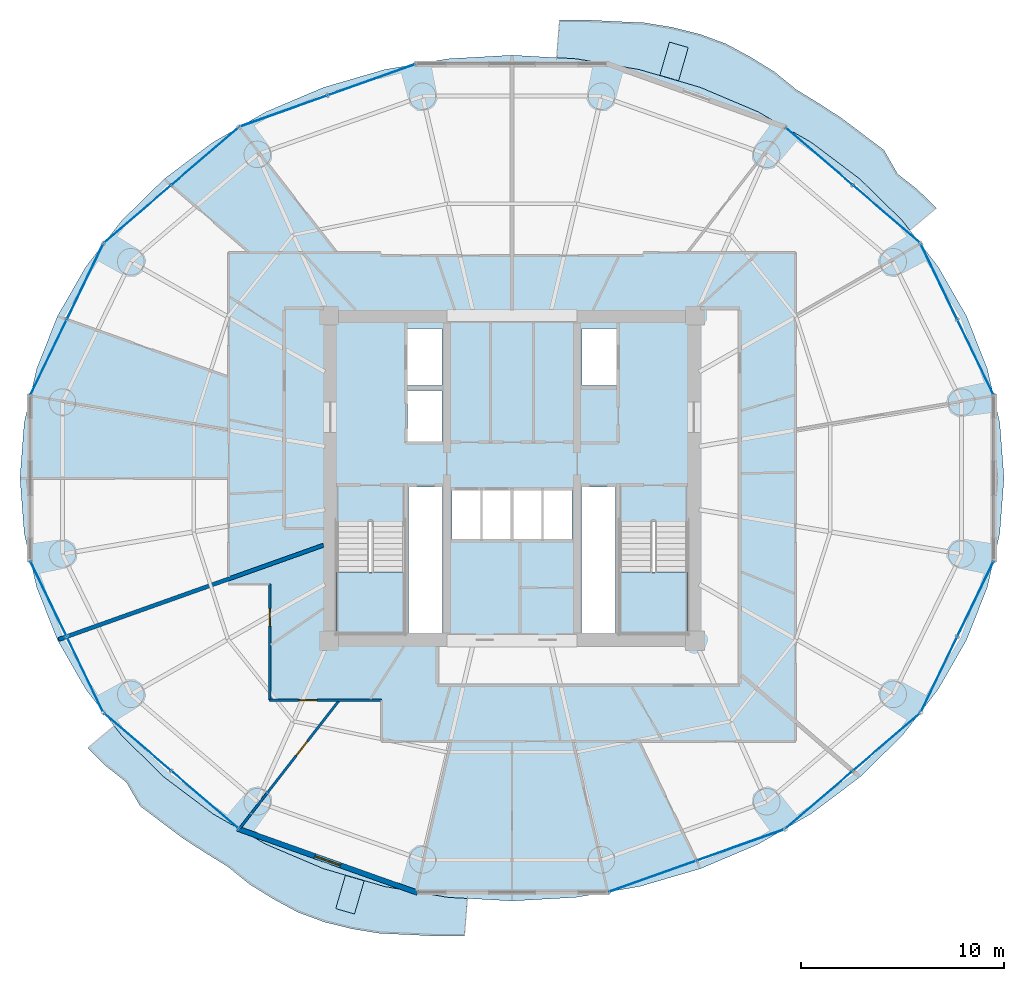
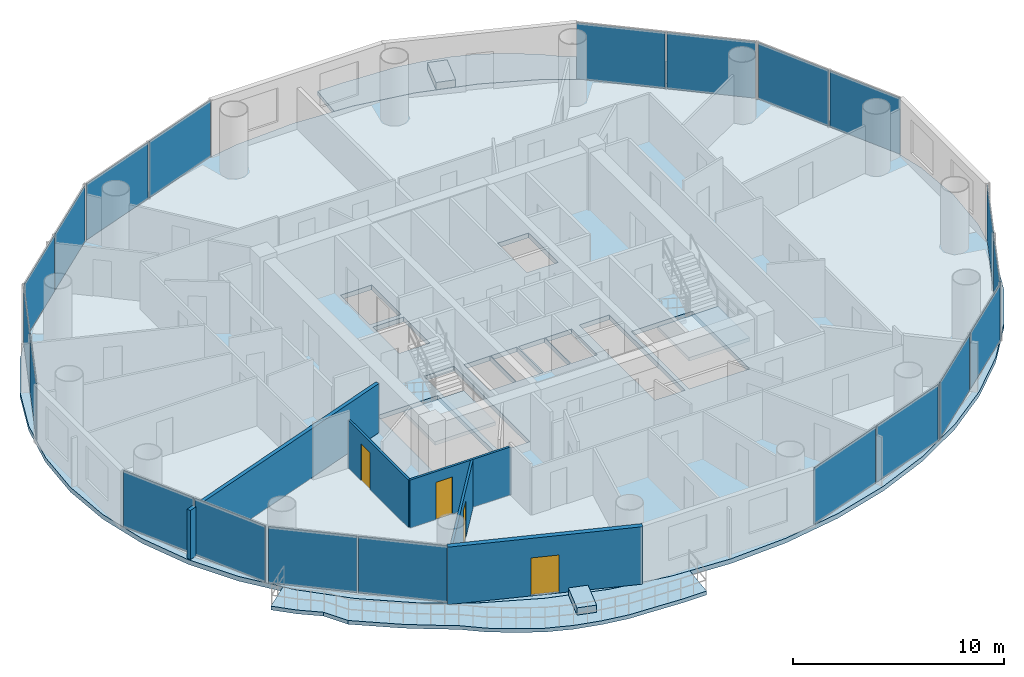
# One storey, part 20 of 27: 20 plates, 7 slabs, 5 walls, 4 doors, 4 openings, 12 elements without a shape of their own.
"""IFC4 building model written with IfcOpenShell, lengths in metres."""

from ifc_helpers import new_model, si_unit, direction, frame, frame_2d, origin, origin_2d, place, context, subcontext, project, spatial, polyline, rectangle, outline, extrude, source, transform, mapped, material, layer, layer_set, type_object, element, fill, aggregate, save


model = new_model("IFC4")

# Units and contexts
model_context = context("Model", 3, precision=1e-05, world=origin(), true_north=direction((-0.2419218956, 0.970295726276)))
body_context = subcontext(model_context, "Body", "Model", "MODEL_VIEW")
ifc_project = project(units=[si_unit("LENGTHUNIT", "METRE"), si_unit("AREAUNIT", "SQUARE_METRE"), si_unit("VOLUMEUNIT", "CUBIC_METRE"), si_unit("PLANEANGLEUNIT", "RADIAN"), si_unit("MASSUNIT", "GRAM", prefix="KILO")], contexts=[model_context])

# Site, building, storey
site_placement = place(None, origin())
site = spatial("IfcSite", under=ifc_project, at=site_placement, CompositionType="ELEMENT")
building_placement = place(site_placement, origin())
building = spatial("IfcBuilding", under=site, at=building_placement, Name="Cobrevalo Terracotta Tower", CompositionType="ELEMENT")
storey_placement = place(building_placement, frame((0.0, 0.0, 146.199951171875)))
storey = spatial("IfcBuildingStorey", under=building, at=storey_placement, Name="L38", CompositionType="ELEMENT", Elevation=146.199951171875)

# Stair, slab
ifc_material_1 = material(Name="Concrete C50", Category="concrete")
stair_type = type_object("IfcStairType", Name="Core protected escape dogleg stair 1600", PredefinedType="HALF_TURN_STAIR", material=ifc_material_1)
stair_1_placement = place(storey_placement, origin())
stair_1 = element("IfcStair", 1, at=stair_1_placement, inside=storey, type_object=stair_type, Name="L38 Protected exit stair ST-1", PredefinedType="HALF_TURN_STAIR")
ifc_layer_1 = layer(ifc_material_1, 0.199951171875)
ifc_layer_set_1 = layer_set([ifc_layer_1], Name="Concrete C50")
slab_type_1 = type_object("IfcSlabType", Name="Reinforced Concrete Stair Landing 200", PredefinedType="LANDING", material=ifc_layer_set_1)
slab_1_placement = place(storey_placement, frame((0.0, 0.0, 1.60009765625)))
slab_1 = element("IfcSlab", 2, at=slab_1_placement, type_object=slab_type_1, Name="ST-1 landing 1", PredefinedType="LANDING", context=body_context, shape_type="SweptSolid", body=[
    extrude(outline(polyline([(29.375, 22.179931640625), (29.375, 19.175048828125), (32.695068359375, 19.175048828125), (32.695068359375, 22.179931640625), (29.375, 22.179931640625)])), origin(), (0.0, 0.0, 1.0), 0.199951171875),
])
aggregate(stair_1, [slab_1])

stair_2_placement = place(storey_placement, origin())
stair_2 = element("IfcStair", 3, at=stair_2_placement, inside=storey, type_object=stair_type, Name="L38 Protected exit stair ST-2", PredefinedType="HALF_TURN_STAIR")
slab_2_placement = place(storey_placement, frame((0.0, 0.0, 1.60009765625)))
slab_2 = element("IfcSlab", 4, at=slab_2_placement, type_object=slab_type_1, Name="ST-2 landing 1", PredefinedType="LANDING", context=body_context, shape_type="SweptSolid", body=[
    extrude(outline(polyline([(43.304931640625, 22.179931640625), (43.304931640625, 19.175048828125), (46.625, 19.175048828125), (46.625, 22.179931640625), (43.304931640625, 22.179931640625)])), origin(), (0.0, 0.0, 1.0), 0.199951171875),
])
aggregate(stair_2, [slab_2])

# Slabs
ifc_material_2 = material(Name="Concrete C45", Category="concrete")
ifc_layer_2 = layer(ifc_material_2, 0.219970703125)
ifc_layer_set_2 = layer_set([ifc_layer_2], Name="Concrete C45")
slab_type_2 = type_object("IfcSlabType", Name="Spiralling cantilevered balcony lobe slab 220 mm", PredefinedType="FLOOR", material=ifc_layer_set_2)
slab_3_placement = place(storey_placement, frame((0.0, 0.0, -0.219970703125)))
element("IfcSlab", 5, at=slab_3_placement, inside=storey, type_object=slab_type_2, Name="L38 spiralling arc balcony slab lobe 1", PredefinedType="FLOOR", context=body_context, shape_type="SweptSolid", body=[
    extrude(outline(polyline([(58.8740234375, 40.07080078125), (57.972900390625, 40.964599609375), (56.96533203125, 41.759765625), (56.296875, 42.9267578125), (55.252197265625, 43.71875), (54.20556640625, 44.505615234375), (53.099365234375, 45.222900390625), (51.966552734375, 45.920654296875), (50.907958984375, 46.78125), (49.738037109375, 47.50341796875), (48.52392578125, 48.16064453125), (47.225830078125, 48.638671875), (45.876220703125, 48.97314453125), (44.505615234375, 49.1962890625), (43.10498046875, 49.259033203125), (41.722412109375, 49.32958984375), (40.34130859375, 49.3310546875), (40.196044921875, 47.478271484375), (41.158935546875, 47.424072265625), (44.263916015625, 46.893310546875), (47.26171875, 46.0185546875), (50.10107421875, 44.81494140625), (52.733154296875, 43.30322265625), (55.11328125, 41.50927734375), (57.20068359375, 39.46337890625), (57.577392578125, 38.97900390625), (58.8740234375, 40.07080078125)])), origin(), (0.0, 0.0, 1.0), 0.219970703125),
])
slab_4_placement = place(storey_placement, frame((0.0, 0.0, -0.219970703125)))
element("IfcSlab", 6, at=slab_4_placement, inside=storey, type_object=slab_type_2, Name="L38 spiralling arc balcony slab lobe 2", PredefinedType="FLOOR", context=body_context, shape_type="SweptSolid", body=[
    extrude(outline(polyline([(17.1259765625, 13.529296875), (18.027099609375, 12.63525390625), (19.03466796875, 11.840087890625), (19.703125, 10.67333984375), (20.747802734375, 9.88134765625), (21.79443359375, 9.09423828125), (22.900634765625, 8.376953125), (24.033447265625, 7.679443359375), (25.092041015625, 6.818603515625), (26.261962890625, 6.096435546875), (27.47607421875, 5.439453125), (28.774169921875, 4.96142578125), (30.123779296875, 4.626953125), (31.494384765625, 4.40380859375), (32.89501953125, 4.341064453125), (34.277587890625, 4.270263671875), (35.65869140625, 4.268798828125), (35.803955078125, 6.121826171875), (34.841064453125, 6.176025390625), (31.736083984375, 6.706787109375), (28.73828125, 7.58154296875), (25.89892578125, 8.784912109375), (23.266845703125, 10.296630859375), (20.88671875, 12.0908203125), (18.79931640625, 14.136474609375), (18.422607421875, 14.620849609375), (17.1259765625, 13.529296875)])), origin(), (0.0, 0.0, 1.0), 0.219970703125),
])
ifc_material_3 = material(Name="Precast concrete C45", Category="concrete")
ifc_layer_3 = layer(ifc_material_3, 0.419921875)
ifc_layer_set_3 = layer_set([ifc_layer_3], Name="Precast concrete C45")
slab_type_3 = type_object("IfcSlabType", Name="Structural tree planter trough base 420 mm", PredefinedType="USERDEFINED", material=ifc_layer_set_3)
slab_5_placement = place(storey_placement, origin())
element("IfcSlab", 7, at=slab_5_placement, inside=storey, type_object=slab_type_3, Name="L38 structural tree planter trough 1", ObjectType="PLANTER", PredefinedType="USERDEFINED", context=body_context, shape_type="SweptSolid", body=[
    extrude(outline(polyline([(46.195068359375, 46.343994140625), (46.6689453125, 47.976806640625), (45.7470703125, 48.244384765625), (45.273193359375, 46.61181640625), (46.195068359375, 46.343994140625)])), origin(), (0.0, 0.0, 1.0), 0.420166015625),
])
slab_6_placement = place(storey_placement, origin())
element("IfcSlab", 8, at=slab_6_placement, inside=storey, type_object=slab_type_3, Name="L38 structural tree planter trough 2", ObjectType="PLANTER", PredefinedType="USERDEFINED", context=body_context, shape_type="SweptSolid", body=[
    extrude(outline(polyline([(29.804931640625, 7.255859375), (29.3310546875, 5.623291015625), (30.2529296875, 5.355712890625), (30.726806640625, 6.98828125), (29.804931640625, 7.255859375)])), origin(), (0.0, 0.0, 1.0), 0.420166015625),
])
ifc_layer_4 = layer(ifc_material_1, 0.27001953125)
ifc_layer_set_4 = layer_set([ifc_layer_4], Name="Concrete C50")
slab_type_4 = type_object("IfcSlabType", Name="Zone Z3 elliptical floor plate 270 mm", PredefinedType="FLOOR", material=ifc_layer_set_4)
slab_7_placement = place(storey_placement, frame((0.0, 0.0, -0.27001953125)))
element("IfcSlab", 9, at=slab_7_placement, inside=storey, type_object=slab_type_4, Name="L38 indoor elliptical floor slab", PredefinedType="FLOOR", context=body_context, shape_type="SweptSolid", body=[
    extrude(outline(polyline([(61.992919921875, 24.0849609375), (61.37548828125, 21.41650390625), (60.35791015625, 18.840087890625), (58.957763671875, 16.39990234375), (57.19921875, 14.1376953125), (55.112060546875, 12.09228515625), (52.73193359375, 10.29833984375), (50.10009765625, 8.78662109375), (47.260986328125, 7.583251953125), (44.263427734375, 6.708740234375), (41.15869140625, 6.177978515625), (38.0, 6.0), (34.84130859375, 6.177978515625), (31.736572265625, 6.708740234375), (28.739013671875, 7.583251953125), (25.89990234375, 8.78662109375), (23.26806640625, 10.29833984375), (20.887939453125, 12.09228515625), (18.80078125, 14.1376953125), (17.042236328125, 16.39990234375), (15.64208984375, 18.840087890625), (14.62451171875, 21.41650390625), (14.007080078125, 24.0849609375), (13.800048828125, 26.800048828125), (14.007080078125, 29.514892578125), (14.62451171875, 32.183349609375), (15.64208984375, 34.759765625), (17.042236328125, 37.199951171875), (18.80078125, 39.462158203125), (20.887939453125, 41.5078125), (23.26806640625, 43.3017578125), (25.89990234375, 44.813232421875), (28.739013671875, 46.0166015625), (31.736572265625, 46.891357421875), (34.84130859375, 47.422119140625), (38.0, 47.60009765625), (41.15869140625, 47.422119140625), (44.263427734375, 46.891357421875), (47.260986328125, 46.0166015625), (50.10009765625, 44.813232421875), (52.73193359375, 43.3017578125), (55.112060546875, 41.5078125), (57.19921875, 39.462158203125), (58.957763671875, 37.199951171875), (60.35791015625, 34.759765625), (61.37548828125, 32.183349609375), (61.992919921875, 29.514892578125), (62.199951171875, 26.800048828125), (61.992919921875, 24.0849609375)]), holes=[polyline([(32.695068359375, 19.175048828125), (32.695068359375, 24.659912109375), (29.375, 24.659912109375), (29.375, 19.175048828125), (32.695068359375, 19.175048828125)]), polyline([(34.574951171875, 26.360107421875), (32.919921875, 26.360107421875), (32.919921875, 19.175048828125), (34.574951171875, 19.175048828125), (34.574951171875, 26.360107421875)]), polyline([(36.47998046875, 26.25), (35.050048828125, 26.25), (35.050048828125, 23.800048828125), (36.47998046875, 23.800048828125), (36.47998046875, 26.25)]), polyline([(37.9599609375, 23.800048828125), (37.9599609375, 26.25), (36.530029296875, 26.25), (36.530029296875, 23.800048828125), (37.9599609375, 23.800048828125)]), polyline([(34.550048828125, 28.60009765625), (34.550048828125, 31.10009765625), (32.85009765625, 31.10009765625), (32.85009765625, 28.60009765625), (34.550048828125, 28.60009765625)]), polyline([(34.550048828125, 34.14990234375), (32.85009765625, 34.14990234375), (32.85009765625, 31.35009765625), (34.550048828125, 31.35009765625), (34.550048828125, 34.14990234375)]), polyline([(43.304931640625, 19.175048828125), (46.625, 19.175048828125), (46.625, 24.659912109375), (43.304931640625, 24.659912109375), (43.304931640625, 19.175048828125)]), polyline([(43.080078125, 19.175048828125), (43.080078125, 26.360107421875), (41.425048828125, 26.360107421875), (41.425048828125, 19.175048828125), (43.080078125, 19.175048828125)]), polyline([(39.469970703125, 26.25), (38.0400390625, 26.25), (38.0400390625, 23.800048828125), (39.469970703125, 23.800048828125), (39.469970703125, 26.25)]), polyline([(40.949951171875, 23.800048828125), (40.949951171875, 26.25), (39.52001953125, 26.25), (39.52001953125, 23.800048828125), (40.949951171875, 23.800048828125)]), polyline([(43.14990234375, 31.35009765625), (43.14990234375, 34.14990234375), (41.449951171875, 34.14990234375), (41.449951171875, 31.35009765625), (43.14990234375, 31.35009765625)])]), origin(), (0.0, 0.0, 1.0), 0.27001953125),
])

# Curtain wall, plates
ifc_material_4 = material(Name="Anodized aluminium", Category="aluminium")
curtain_wall_type = type_object("IfcCurtainWallType", Name="Mid-tower high-wind unitised curtain wall CW-U2", PredefinedType="NOTDEFINED", material=ifc_material_4)
curtain_wall_1_placement = place(storey_placement, origin())
curtain_wall_1 = element("IfcCurtainWall", 10, at=curtain_wall_1_placement, inside=storey, type_object=curtain_wall_type, Name="L38 curtain wall CW-L38-S02", PredefinedType="NOTDEFINED")
ifc_material_5 = material(Name="Solar-control low-E double glazing", Category="glass")
ifc_layer_5 = layer(ifc_material_5, 0.028076171875)
ifc_layer_set_5 = layer_set([ifc_layer_5], Name="Solar-control low-E double glazing")
plate_type = type_object("IfcPlateType", Name="Tower solar-control low-E vision glass panel 28 mm", PredefinedType="CURTAIN_PANEL", material=ifc_layer_set_5)
shared_shape_1 = source(origin(), body_context, "Body", "SweptSolid", [
    extrude(rectangle(XDim=4.276123046875, YDim=0.035888671875, at=origin_2d()), origin(), (0.0, 0.0, 1.0), 3.25),
])
plate_1_placement = place(storey_placement, frame((56.414306640625, 39.784912109375, 0.0400390625), z_axis=(0.0, 0.0, 1.0), x_axis=(-0.758436996112, 0.651746363955, 0.0)))
plate_1 = element("IfcPlate", 11, at=plate_1_placement, type_object=plate_type, Name="CW-L38-S02 glazing panel B01", PredefinedType="CURTAIN_PANEL", context=body_context, shape_type="MappedRepresentation", body=[
    mapped(shared_shape_1, transform((0.0, 0.0, 0.0), scale=1.0)),
])
plate_2_placement = place(storey_placement, frame((53.1103515625, 42.6240234375, 0.0400390625), z_axis=(0.0, 0.0, 1.0), x_axis=(-0.758436996112, 0.651746363955, 0.0)))
plate_2 = element("IfcPlate", 12, at=plate_2_placement, type_object=plate_type, Name="CW-L38-S02 glazing panel B02", PredefinedType="CURTAIN_PANEL", context=body_context, shape_type="MappedRepresentation", body=[
    mapped(shared_shape_1, transform((0.0, 0.0, 0.0), scale=1.0)),
])
aggregate(curtain_wall_1, [plate_1, plate_2])

curtain_wall_2_placement = place(storey_placement, origin())
curtain_wall_2 = element("IfcCurtainWall", 13, at=curtain_wall_2_placement, inside=storey, type_object=curtain_wall_type, Name="L38 curtain wall CW-L38-S06", PredefinedType="NOTDEFINED")
plate_3_placement = place(storey_placement, frame((22.8896484375, 42.6240234375, 0.0400390625), z_axis=(0.0, 0.0, 1.0), x_axis=(-0.758436996112, -0.651746363955, 0.0)))
plate_3 = element("IfcPlate", 14, at=plate_3_placement, type_object=plate_type, Name="CW-L38-S06 glazing panel B01", PredefinedType="CURTAIN_PANEL", context=body_context, shape_type="MappedRepresentation", body=[
    mapped(shared_shape_1, transform((0.0, 0.0, 0.0), scale=1.0)),
])
plate_4_placement = place(storey_placement, frame((19.585693359375, 39.784912109375, 0.0400390625), z_axis=(0.0, 0.0, 1.0), x_axis=(-0.758436996112, -0.651746363955, 0.0)))
plate_4 = element("IfcPlate", 15, at=plate_4_placement, type_object=plate_type, Name="CW-L38-S06 glazing panel B02", PredefinedType="CURTAIN_PANEL", context=body_context, shape_type="MappedRepresentation", body=[
    mapped(shared_shape_1, transform((0.0, 0.0, 0.0), scale=1.0)),
])
aggregate(curtain_wall_2, [plate_3, plate_4])

curtain_wall_3_placement = place(storey_placement, origin())
curtain_wall_3 = element("IfcCurtainWall", 16, at=curtain_wall_3_placement, inside=storey, type_object=curtain_wall_type, Name="L38 curtain wall CW-L38-S10", PredefinedType="NOTDEFINED")
plate_5_placement = place(storey_placement, frame((19.585693359375, 13.815185546875, 0.0400390625), z_axis=(0.0, 0.0, 1.0), x_axis=(0.758436996112, -0.651746363955, 0.0)))
plate_5 = element("IfcPlate", 17, at=plate_5_placement, type_object=plate_type, Name="CW-L38-S10 glazing panel B01", PredefinedType="CURTAIN_PANEL", context=body_context, shape_type="MappedRepresentation", body=[
    mapped(shared_shape_1, transform((0.0, 0.0, 0.0), scale=1.0)),
])
plate_6_placement = place(storey_placement, frame((22.8896484375, 10.97607421875, 0.0400390625), z_axis=(0.0, 0.0, 1.0), x_axis=(0.758436996112, -0.651746363955, 0.0)))
plate_6 = element("IfcPlate", 18, at=plate_6_placement, type_object=plate_type, Name="CW-L38-S10 glazing panel B02", PredefinedType="CURTAIN_PANEL", context=body_context, shape_type="MappedRepresentation", body=[
    mapped(shared_shape_1, transform((0.0, 0.0, 0.0), scale=1.0)),
])
aggregate(curtain_wall_3, [plate_5, plate_6])

curtain_wall_4_placement = place(storey_placement, origin())
curtain_wall_4 = element("IfcCurtainWall", 19, at=curtain_wall_4_placement, inside=storey, type_object=curtain_wall_type, Name="L38 curtain wall CW-L38-S14", PredefinedType="NOTDEFINED")
plate_7_placement = place(storey_placement, frame((53.1103515625, 10.97607421875, 0.0400390625), z_axis=(0.0, 0.0, 1.0), x_axis=(0.758436996112, 0.651746363955, 0.0)))
plate_7 = element("IfcPlate", 20, at=plate_7_placement, type_object=plate_type, Name="CW-L38-S14 glazing panel B01", PredefinedType="CURTAIN_PANEL", context=body_context, shape_type="MappedRepresentation", body=[
    mapped(shared_shape_1, transform((0.0, 0.0, 0.0), scale=1.0)),
])
plate_8_placement = place(storey_placement, frame((56.414306640625, 13.815185546875, 0.0400390625), z_axis=(0.0, 0.0, 1.0), x_axis=(0.758436996112, 0.651746363955, 0.0)))
plate_8 = element("IfcPlate", 21, at=plate_8_placement, type_object=plate_type, Name="CW-L38-S14 glazing panel B02", PredefinedType="CURTAIN_PANEL", context=body_context, shape_type="MappedRepresentation", body=[
    mapped(shared_shape_1, transform((0.0, 0.0, 0.0), scale=1.0)),
])
aggregate(curtain_wall_4, [plate_7, plate_8])

curtain_wall_5_placement = place(storey_placement, origin())
curtain_wall_5 = element("IfcCurtainWall", 22, at=curtain_wall_5_placement, inside=storey, type_object=curtain_wall_type, Name="L38 curtain wall CW-L38-S01", PredefinedType="NOTDEFINED")
shared_shape_2 = source(origin(), body_context, "Body", "SweptSolid", [
    extrude(rectangle(XDim=4.035888671875, YDim=0.035888671875, at=origin_2d()), origin(), (0.0, 0.0, 1.0), 3.25),
])
plate_9_placement = place(storey_placement, frame((60.794677734375, 32.741943359375, 0.0400390625), z_axis=(0.0, 0.0, 1.0), x_axis=(-0.434209440271, 0.900811945957, 0.0)))
plate_9 = element("IfcPlate", 23, at=plate_9_placement, type_object=plate_type, Name="CW-L38-S01 glazing panel B01", PredefinedType="CURTAIN_PANEL", context=body_context, shape_type="MappedRepresentation", body=[
    mapped(shared_shape_2, transform((0.0, 0.0, 0.0), scale=1.0)),
])
plate_10_placement = place(storey_placement, frame((59.007568359375, 36.449462890625, 0.0400390625), z_axis=(0.0, 0.0, 1.0), x_axis=(-0.434209440271, 0.900811945957, 0.0)))
plate_10 = element("IfcPlate", 24, at=plate_10_placement, type_object=plate_type, Name="CW-L38-S01 glazing panel B02", PredefinedType="CURTAIN_PANEL", context=body_context, shape_type="MappedRepresentation", body=[
    mapped(shared_shape_2, transform((0.0, 0.0, 0.0), scale=1.0)),
])
aggregate(curtain_wall_5, [plate_9, plate_10])

curtain_wall_6_placement = place(storey_placement, origin())
curtain_wall_6 = element("IfcCurtainWall", 25, at=curtain_wall_6_placement, inside=storey, type_object=curtain_wall_type, Name="L38 curtain wall CW-L38-S07", PredefinedType="NOTDEFINED")
plate_11_placement = place(storey_placement, frame((16.992431640625, 36.449462890625, 0.0400390625), z_axis=(0.0, 0.0, 1.0), x_axis=(-0.434209440271, -0.900811945957, 0.0)))
plate_11 = element("IfcPlate", 26, at=plate_11_placement, type_object=plate_type, Name="CW-L38-S07 glazing panel B01", PredefinedType="CURTAIN_PANEL", context=body_context, shape_type="MappedRepresentation", body=[
    mapped(shared_shape_2, transform((0.0, 0.0, 0.0), scale=1.0)),
])
plate_12_placement = place(storey_placement, frame((15.205322265625, 32.741943359375, 0.0400390625), z_axis=(0.0, 0.0, 1.0), x_axis=(-0.434209440271, -0.900811945957, 0.0)))
plate_12 = element("IfcPlate", 27, at=plate_12_placement, type_object=plate_type, Name="CW-L38-S07 glazing panel B02", PredefinedType="CURTAIN_PANEL", context=body_context, shape_type="MappedRepresentation", body=[
    mapped(shared_shape_2, transform((0.0, 0.0, 0.0), scale=1.0)),
])
aggregate(curtain_wall_6, [plate_11, plate_12])

curtain_wall_7_placement = place(storey_placement, origin())
curtain_wall_7 = element("IfcCurtainWall", 28, at=curtain_wall_7_placement, inside=storey, type_object=curtain_wall_type, Name="L38 curtain wall CW-L38-S09", PredefinedType="NOTDEFINED")
plate_13_placement = place(storey_placement, frame((15.205322265625, 20.858154296875, 0.0400390625), z_axis=(0.0, 0.0, 1.0), x_axis=(0.434209440271, -0.900811945957, 0.0)))
plate_13 = element("IfcPlate", 29, at=plate_13_placement, type_object=plate_type, Name="CW-L38-S09 glazing panel B01", PredefinedType="CURTAIN_PANEL", context=body_context, shape_type="MappedRepresentation", body=[
    mapped(shared_shape_2, transform((0.0, 0.0, 0.0), scale=1.0)),
])
plate_14_placement = place(storey_placement, frame((16.992431640625, 17.150634765625, 0.0400390625), z_axis=(0.0, 0.0, 1.0), x_axis=(0.434209440271, -0.900811945957, 0.0)))
plate_14 = element("IfcPlate", 30, at=plate_14_placement, type_object=plate_type, Name="CW-L38-S09 glazing panel B02", PredefinedType="CURTAIN_PANEL", context=body_context, shape_type="MappedRepresentation", body=[
    mapped(shared_shape_2, transform((0.0, 0.0, 0.0), scale=1.0)),
])
aggregate(curtain_wall_7, [plate_13, plate_14])

curtain_wall_8_placement = place(storey_placement, origin())
curtain_wall_8 = element("IfcCurtainWall", 31, at=curtain_wall_8_placement, inside=storey, type_object=curtain_wall_type, Name="L38 curtain wall CW-L38-S15", PredefinedType="NOTDEFINED")
plate_15_placement = place(storey_placement, frame((59.007568359375, 17.150634765625, 0.0400390625), z_axis=(0.0, 0.0, 1.0), x_axis=(0.434209440271, 0.900811945957, 0.0)))
plate_15 = element("IfcPlate", 32, at=plate_15_placement, type_object=plate_type, Name="CW-L38-S15 glazing panel B01", PredefinedType="CURTAIN_PANEL", context=body_context, shape_type="MappedRepresentation", body=[
    mapped(shared_shape_2, transform((0.0, 0.0, 0.0), scale=1.0)),
])
plate_16_placement = place(storey_placement, frame((60.794677734375, 20.858154296875, 0.0400390625), z_axis=(0.0, 0.0, 1.0), x_axis=(0.434209440271, 0.900811945957, 0.0)))
plate_16 = element("IfcPlate", 33, at=plate_16_placement, type_object=plate_type, Name="CW-L38-S15 glazing panel B02", PredefinedType="CURTAIN_PANEL", context=body_context, shape_type="MappedRepresentation", body=[
    mapped(shared_shape_2, transform((0.0, 0.0, 0.0), scale=1.0)),
])
aggregate(curtain_wall_8, [plate_15, plate_16])

curtain_wall_9_placement = place(storey_placement, origin())
curtain_wall_9 = element("IfcCurtainWall", 34, at=curtain_wall_9_placement, inside=storey, type_object=curtain_wall_type, Name="L38 curtain wall CW-L38-S05", PredefinedType="NOTDEFINED")
shared_shape_3 = source(origin(), body_context, "Body", "SweptSolid", [
    extrude(rectangle(XDim=4.504150390625, YDim=0.035888671875, at=origin_2d()), origin(), (0.0, 0.0, 1.0), 3.25),
])
plate_17_placement = place(storey_placement, frame((31.087646484375, 46.388916015625, 0.0400390625), z_axis=(0.0, 0.0, 1.0), x_axis=(-0.942098428897, -0.335336473217, 0.0)))
plate_17 = element("IfcPlate", 35, at=plate_17_placement, type_object=plate_type, Name="CW-L38-S05 glazing panel B01", PredefinedType="CURTAIN_PANEL", context=body_context, shape_type="MappedRepresentation", body=[
    mapped(shared_shape_3, transform((0.0, 0.0, 0.0), scale=1.0)),
])
plate_18_placement = place(storey_placement, frame((26.768798828125, 44.8515625, 0.0400390625), z_axis=(0.0, 0.0, 1.0), x_axis=(-0.942098428897, -0.335336473217, 0.0)))
plate_18 = element("IfcPlate", 36, at=plate_18_placement, type_object=plate_type, Name="CW-L38-S05 glazing panel B02", PredefinedType="CURTAIN_PANEL", context=body_context, shape_type="MappedRepresentation", body=[
    mapped(shared_shape_3, transform((0.0, 0.0, 0.0), scale=1.0)),
])
aggregate(curtain_wall_9, [plate_17, plate_18])

curtain_wall_10_placement = place(storey_placement, origin())
curtain_wall_10 = element("IfcCurtainWall", 37, at=curtain_wall_10_placement, inside=storey, type_object=curtain_wall_type, Name="L38 curtain wall CW-L38-S13", PredefinedType="NOTDEFINED")
plate_19_placement = place(storey_placement, frame((44.912353515625, 7.211181640625, 0.0400390625), z_axis=(0.0, 0.0, 1.0), x_axis=(0.942098428897, 0.335336473217, 0.0)))
plate_19 = element("IfcPlate", 38, at=plate_19_placement, type_object=plate_type, Name="CW-L38-S13 glazing panel B01", PredefinedType="CURTAIN_PANEL", context=body_context, shape_type="MappedRepresentation", body=[
    mapped(shared_shape_3, transform((0.0, 0.0, 0.0), scale=1.0)),
])
plate_20_placement = place(storey_placement, frame((49.231201171875, 8.748291015625, 0.0400390625), z_axis=(0.0, 0.0, 1.0), x_axis=(0.942098428897, 0.335336473217, 0.0)))
plate_20 = element("IfcPlate", 39, at=plate_20_placement, type_object=plate_type, Name="CW-L38-S13 glazing panel B02", PredefinedType="CURTAIN_PANEL", context=body_context, shape_type="MappedRepresentation", body=[
    mapped(shared_shape_3, transform((0.0, 0.0, 0.0), scale=1.0)),
])
aggregate(curtain_wall_10, [plate_19, plate_20])

# Wall
ifc_material_6 = material(Name="Autoclaved aerated concrete block", Category="concrete")
ifc_layer_6 = layer(ifc_material_6, 0.199951171875)
ifc_layer_set_6 = layer_set([ifc_layer_6], Name="Autoclaved aerated concrete block")
wall_type_1 = type_object("IfcWallType", Name="Fire-rated stair, shaft & demising masonry wall 200 mm", PredefinedType="PARTITIONING", material=ifc_layer_set_6)
wall_1_placement = place(storey_placement, frame((28.72314453125, 23.497314453125, 0.0), z_axis=(0.0, 0.0, 1.0), x_axis=(-0.942077095572, -0.335396401292, 0.0)))
element("IfcWall", 40, at=wall_1_placement, inside=storey, type_object=wall_type_1, Name="L38 interior partition IW-L38-DEM-2", PredefinedType="PARTITIONING", context=body_context, shape_type="SweptSolid", body=[
    extrude(rectangle(XDim=13.8232421875, YDim=0.199951171875, at=frame_2d((6.91162109375, 0.0))), origin(), (0.0, 0.0, 1.0), 2.845947265625),
])

# Wall, opening, door
ifc_layer_7 = layer(ifc_material_6, 0.260009765625)
ifc_layer_set_7 = layer_set([ifc_layer_7], Name="Autoclaved aerated concrete block")
wall_type_2 = type_object("IfcWallType", Name="Recessed balcony loggia insulated exterior wall 260 mm", PredefinedType="SOLIDWALL", material=ifc_layer_set_7)
wall_2_placement = place(storey_placement, frame((24.49658203125, 9.55712890625, 0.0), z_axis=(0.0, 0.0, 1.0), x_axis=(0.942103604331, -0.335321932934, 0.0)))
wall_2 = element("IfcWall", 41, at=wall_2_placement, inside=storey, type_object=wall_type_2, Name="L38 balcony loggia wall S11", PredefinedType="SOLIDWALL", context=body_context, shape_type="SweptSolid", body=[
    extrude(rectangle(XDim=9.408203125, YDim=0.260009765625, at=frame_2d((4.7041015625, 0.0))), origin(), (0.0, 0.0, 1.0), 3.330078125),
])
opening_1_placement = place(wall_2_placement, frame((4.029052734375, 0.0, 0.0)))
opening_1 = element("IfcOpeningElement", 42, at=opening_1_placement, cuts=wall_2, Name="Opening ED-05", PredefinedType="OPENING", context=body_context, shape_type="SweptSolid", body=[
    extrude(rectangle(XDim=1.35009765625, YDim=2.199951171875, at=frame_2d((0.675048828125, 1.10009765625))), frame((0.0, 0.14013671875, 0.0), z_axis=(0.0, -1.0, 0.0), x_axis=(1.0, 0.0, 0.0)), (0.0, 0.0, 1.0), 0.280029296875),
])
ifc_material_7 = material(Name="Anodized aluminium and laminated glass", Category="aluminium")
door_type_1 = type_object("IfcDoorType", Name="Suite balcony acoustic glazed terrace door 1350x2200", OperationType="NOTDEFINED", PredefinedType="DOOR", material=ifc_material_7)
shared_shape_4 = source(origin(), body_context, "Body", "SweptSolid", [
    extrude(rectangle(XDim=1.35009765625, YDim=2.199951171875, at=frame_2d((0.675048828125, 1.10009765625))), frame((0.0, 0.02490234375, 0.0), z_axis=(0.0, -1.0, 0.0), x_axis=(1.0, 0.0, 0.0)), (0.0, 0.0, 1.0), 0.050048828125),
])
door_1_placement = place(opening_1_placement, frame((1.35009765625, 0.0, 0.0), z_axis=(0.0, 0.0, 1.0), x_axis=(-1.0, 0.0, 0.0)))
door_1 = element("IfcDoor", 43, at=door_1_placement, inside=storey, type_object=door_type_1, Name="L38 glazed balcony terrace door 2", OperationType="SINGLE_SWING_RIGHT", OverallHeight=2.199951171875, OverallWidth=1.35009765625, PredefinedType="DOOR", context=body_context, shape_type="MappedRepresentation", body=[
    mapped(shared_shape_4, transform((0.0, 0.0, 0.0), scale=1.0)),
])
fill(opening_1, door_1)

ifc_material_8 = material(Name="Gypsum board on steel stud", Category="steel")
ifc_layer_8 = layer(ifc_material_8, 0.1201171875)
ifc_layer_set_8 = layer_set([ifc_layer_8], Name="Gypsum board on steel stud")
wall_type_3 = type_object("IfcWallType", Name="Residential internal acoustic stud partition 120 mm", PredefinedType="PARTITIONING", material=ifc_layer_set_8)
wall_3_placement = place(storey_placement, frame((31.590087890625, 15.875, 0.0), z_axis=(0.0, 0.0, 1.0), x_axis=(-1.0, 0.0, 0.0)))
wall_3 = element("IfcWall", 44, at=wall_3_placement, inside=storey, type_object=wall_type_3, Name="L38 interior partition IW-L38-U2-RING3_0", PredefinedType="PARTITIONING", context=body_context, shape_type="SweptSolid", body=[
    extrude(rectangle(XDim=5.51513671875, YDim=0.1201171875, at=frame_2d((2.757568359375, 0.0))), origin(), (0.0, 0.0, 1.0), 2.776123046875),
])
opening_2_placement = place(wall_3_placement, frame((3.189208984375, 0.0, 0.0)))
opening_2 = element("IfcOpeningElement", 45, at=opening_2_placement, cuts=wall_3, Name="Opening ID-12", PredefinedType="OPENING", context=body_context, shape_type="SweptSolid", body=[
    extrude(rectangle(XDim=0.89990234375, YDim=2.14990234375, at=frame_2d((0.449951171875, 1.074951171875))), frame((0.0, 0.070068359375, 0.0), z_axis=(0.0, -1.0, 0.0), x_axis=(1.0, 0.0, 0.0)), (0.0, 0.0, 1.0), 0.14013671875),
])
ifc_material_9 = material(Name="Engineered timber", Category="wood")
door_type_2 = type_object("IfcDoorType", Name="Internal residence & suite timber door 900x2150", OperationType="NOTDEFINED", PredefinedType="DOOR", material=ifc_material_9)
shared_shape_5 = source(origin(), body_context, "Body", "SweptSolid", [
    extrude(rectangle(XDim=0.89990234375, YDim=2.14990234375, at=frame_2d((0.449951171875, 1.074951171875))), frame((0.0, 0.02490234375, 0.0), z_axis=(0.0, -1.0, 0.0), x_axis=(1.0, 0.0, 0.0)), (0.0, 0.0, 1.0), 0.050048828125),
])
door_2_placement = place(opening_2_placement, frame((0.89990234375, 0.0, 0.0), z_axis=(0.0, 0.0, 1.0), x_axis=(-1.0, 0.0, 0.0)))
door_2 = element("IfcDoor", 46, at=door_2_placement, inside=storey, type_object=door_type_2, Name="Flat L38B Private Library Meeting Room internal door", OperationType="SINGLE_SWING_RIGHT", OverallHeight=2.14990234375, OverallWidth=0.89990234375, PredefinedType="DOOR", context=body_context, shape_type="MappedRepresentation", body=[
    mapped(shared_shape_5, transform((0.0, 0.0, 0.0), scale=1.0)),
])
fill(opening_2, door_2)

wall_4_placement = place(storey_placement, frame((26.074951171875, 15.875, 0.0), z_axis=(0.0, 0.0, 1.0), x_axis=(0.0, 1.0, 0.0)))
wall_4 = element("IfcWall", 47, at=wall_4_placement, inside=storey, type_object=wall_type_3, Name="L38 interior partition IW-L38-U2-RING4_0", PredefinedType="PARTITIONING", context=body_context, shape_type="SweptSolid", body=[
    extrude(rectangle(XDim=5.715087890625, YDim=0.1201171875, at=frame_2d((2.857421875, 0.0))), origin(), (0.0, 0.0, 1.0), 2.776123046875),
])
opening_3_placement = place(wall_4_placement, frame((3.647705078125, 0.0, 0.0)))
opening_3 = element("IfcOpeningElement", 48, at=opening_3_placement, cuts=wall_4, Name="Opening ID-19", PredefinedType="OPENING", context=body_context, shape_type="SweptSolid", body=[
    extrude(rectangle(XDim=0.860107421875, YDim=2.14990234375, at=frame_2d((0.43017578125, 1.074951171875))), frame((0.0, 0.070068359375, 0.0), z_axis=(0.0, -1.0, 0.0), x_axis=(1.0, 0.0, 0.0)), (0.0, 0.0, 1.0), 0.14013671875),
])
ifc_material_10 = material(Name="Moisture-sealed timber", Category="wood")
door_type_3 = type_object("IfcDoorType", Name="Suite bathroom internal timber door 860x2150", OperationType="NOTDEFINED", PredefinedType="DOOR", material=ifc_material_10)
shared_shape_6 = source(origin(), body_context, "Body", "SweptSolid", [
    extrude(rectangle(XDim=0.860107421875, YDim=2.14990234375, at=frame_2d((0.43017578125, 1.074951171875))), frame((0.0, 0.02490234375, 0.0), z_axis=(0.0, -1.0, 0.0), x_axis=(1.0, 0.0, 0.0)), (0.0, 0.0, 1.0), 0.050048828125),
])
door_3_placement = place(opening_3_placement, frame((0.860107421875, 0.0, 0.0), z_axis=(0.0, 0.0, 1.0), x_axis=(-1.0, 0.0, 0.0)))
door_3 = element("IfcDoor", 49, at=door_3_placement, inside=storey, type_object=door_type_3, Name="Flat L38B Guest Bathroom internal door", OperationType="SINGLE_SWING_LEFT", OverallHeight=2.14990234375, OverallWidth=0.860107421875, PredefinedType="DOOR", context=body_context, shape_type="MappedRepresentation", body=[
    mapped(shared_shape_6, transform((0.0, 0.0, 0.0), scale=1.0)),
])
fill(opening_3, door_3)

wall_5_placement = place(storey_placement, frame((29.46875, 15.826171875, 0.0), z_axis=(0.0, 0.0, 1.0), x_axis=(-0.61373942367, -0.789508657225, 0.0)))
wall_5 = element("IfcWall", 50, at=wall_5_placement, inside=storey, type_object=wall_type_3, Name="L38 interior partition IW-L38-U2-ORAD1", PredefinedType="PARTITIONING", context=body_context, shape_type="SweptSolid", body=[
    extrude(rectangle(XDim=7.897705078125, YDim=0.1201171875, at=frame_2d((3.94873046875, 0.0))), origin(), (0.0, 0.0, 1.0), 2.776123046875),
])
opening_4_placement = place(wall_5_placement, frame((2.49609375, 0.0, 0.0)))
opening_4 = element("IfcOpeningElement", 51, at=opening_4_placement, cuts=wall_5, Name="Opening ID-12", PredefinedType="OPENING", context=body_context, shape_type="SweptSolid", body=[
    extrude(rectangle(XDim=0.89990234375, YDim=2.14990234375, at=frame_2d((0.449951171875, 1.074951171875))), frame((0.0, 0.070068359375, 0.0), z_axis=(0.0, -1.0, 0.0), x_axis=(1.0, 0.0, 0.0)), (0.0, 0.0, 1.0), 0.14013671875),
])
door_4_placement = place(opening_4_placement, frame((0.89990234375, 0.0, 0.0), z_axis=(0.0, 0.0, 1.0), x_axis=(-1.0, 0.0, 0.0)))
door_4 = element("IfcDoor", 52, at=door_4_placement, inside=storey, type_object=door_type_2, Name="Flat L38B Living and Dining Room internal door", OperationType="SINGLE_SWING_RIGHT", OverallHeight=2.14990234375, OverallWidth=0.89990234375, PredefinedType="DOOR", context=body_context, shape_type="MappedRepresentation", body=[
    mapped(shared_shape_5, transform((0.0, 0.0, 0.0), scale=1.0)),
])
fill(opening_4, door_4)

save(model, "model.ifc")
